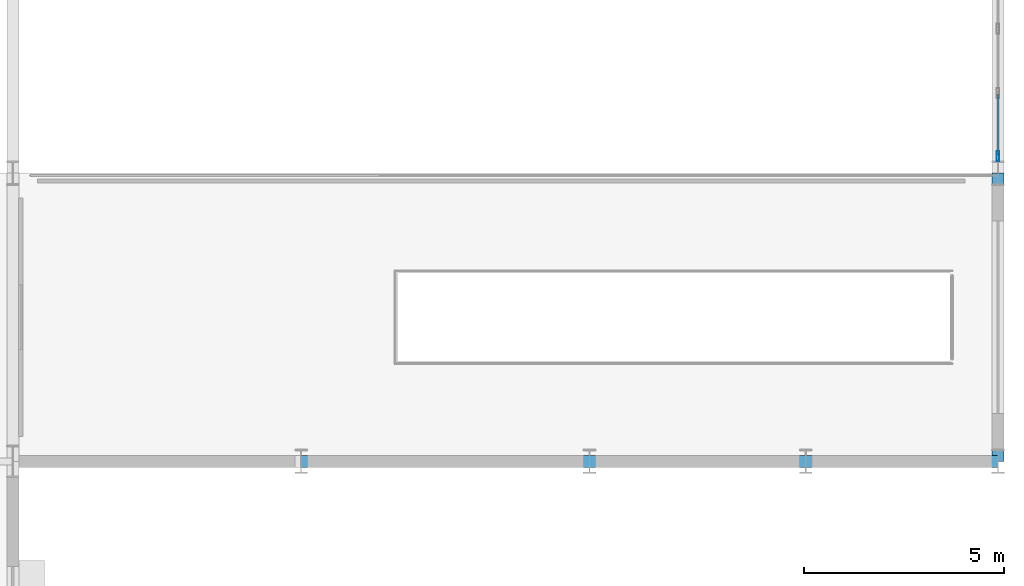
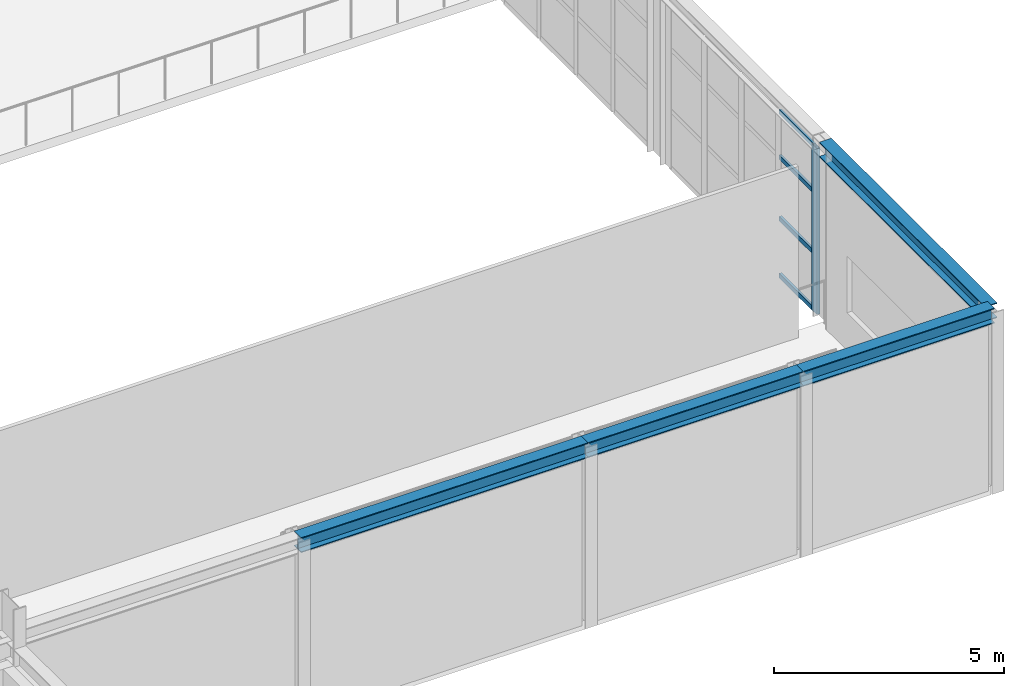
# One storey, part 63 of 126: 5 members, 4 beams, 1 element without a shape of its own.
"""IFC4 building model written with IfcOpenShell, lengths in metres."""

from ifc_helpers import new_model, si_unit, direction, frame, origin, origin_2d, place, context, subcontext, project, spatial, hollow_rectangle, i_section, extrude, material, layer, layer_set, material_profile, profile_set, type_object, element, aggregate, save


model = new_model("IFC4")

# Units and contexts
model_context = context("Model", 3, precision=1e-05, world=origin(), true_north=direction((0.0, 1.0)))
body_context = subcontext(model_context, "Body", "Model", "MODEL_VIEW")
ifc_project = project(units=[si_unit("LENGTHUNIT", "METRE"), si_unit("AREAUNIT", "SQUARE_METRE"), si_unit("VOLUMEUNIT", "CUBIC_METRE"), si_unit("PLANEANGLEUNIT", "RADIAN"), si_unit("MASSUNIT", "GRAM", prefix="KILO")], contexts=[model_context])

# Site, building, storey
site_placement = place(None, origin())
site = spatial("IfcSite", under=ifc_project, at=site_placement, CompositionType="ELEMENT")
building_placement = place(site_placement, origin())
building = spatial("IfcBuilding", under=site, at=building_placement, Name="Solvadek Multi-Sports Hall", CompositionType="ELEMENT")
storey_placement = place(building_placement, frame((0.0, 0.0, 9.60009765625)))
storey = spatial("IfcBuildingStorey", under=building, at=storey_placement, Name="L02", CompositionType="ELEMENT", Elevation=9.60009765625)

# Curtain wall, members
ifc_material_1 = material(Name="Anodised aluminium", Category="aluminium")
ifc_layer = layer(ifc_material_1, 0.159912109375, Name="Anodised aluminium")
ifc_layer_set = layer_set([ifc_layer], Name="Anodised aluminium")
curtain_wall_type = type_object("IfcCurtainWallType", Name="ENV-CW-642X440", PredefinedType="USERDEFINED", material=ifc_layer_set)
curtain_wall_placement = place(storey_placement, origin())
curtain_wall = element("IfcCurtainWall", 1, at=curtain_wall_placement, inside=storey, type_object=curtain_wall_type, Name="L02 Perimeter Bay Curtain Wall #146", ObjectType="CURTAIN WALL", PredefinedType="USERDEFINED")
ifc_material_profile_1 = material_profile(ifc_material_1, hollow_rectangle(XDim=0.070068359375, YDim=0.25, WallThickness=0.0048828125, at=origin_2d()), Name="ALU-M 250x70x5")
ifc_profile_set_1 = profile_set([ifc_material_profile_1], Name="Anodised aluminium")
member_type_1 = type_object("IfcMemberType", Name="ENV-CWM-05", PredefinedType="MULLION", material=ifc_profile_set_1)
member_1_placement = place(storey_placement, frame((161.39990234375, 49.625, 0.0), z_axis=(0.0, 0.0, 1.0), x_axis=(-1.0, 0.0, 0.0)))
member_1 = element("IfcMember", 2, at=member_1_placement, type_object=member_type_1, Name="CW-54 mullion 1", PredefinedType="MULLION", context=body_context, shape_type="SweptSolid", body=[
    extrude(hollow_rectangle(XDim=0.070068359375, YDim=0.25, WallThickness=0.0048828125, at=origin_2d()), origin(), (0.0, 0.0, 1.0), 4.40185546875),
])
ifc_material_profile_2 = material_profile(ifc_material_1, hollow_rectangle(XDim=0.06005859375, YDim=0.1201171875, WallThickness=0.00390625, at=origin_2d()), Name="ALU-T 120x60x4")
ifc_profile_set_2 = profile_set([ifc_material_profile_2], Name="Anodised aluminium")
member_type_2 = type_object("IfcMemberType", Name="ENV-CWT-01", PredefinedType="USERDEFINED", material=ifc_profile_set_2)
member_2_placement = place(storey_placement, frame((161.39990234375, 49.659912109375, 0.02978515625), z_axis=(0.0, 1.0, 0.0), x_axis=(-1.0, 0.0, 0.0)))
member_2 = element("IfcMember", 3, at=member_2_placement, type_object=member_type_2, Name="CW-54 transom 1.1", ObjectType="TRANSOM", PredefinedType="USERDEFINED", context=body_context, shape_type="SweptSolid", body=[
    extrude(hollow_rectangle(XDim=0.06005859375, YDim=0.1201171875, WallThickness=0.00390625, at=origin_2d()), origin(), (0.0, 0.0, 1.0), 1.5),
])
member_3_placement = place(storey_placement, frame((161.39990234375, 49.659912109375, 1.541015625), z_axis=(0.0, 1.0, 0.0), x_axis=(-1.0, 0.0, 0.0)))
member_3 = element("IfcMember", 4, at=member_3_placement, type_object=member_type_2, Name="CW-54 transom 1.2", ObjectType="TRANSOM", PredefinedType="USERDEFINED", context=body_context, shape_type="SweptSolid", body=[
    extrude(hollow_rectangle(XDim=0.06005859375, YDim=0.1201171875, WallThickness=0.00390625, at=origin_2d()), origin(), (0.0, 0.0, 1.0), 1.5),
])
member_4_placement = place(storey_placement, frame((161.39990234375, 49.659912109375, 3.1689453125), z_axis=(0.0, 1.0, 0.0), x_axis=(-1.0, 0.0, 0.0)))
member_4 = element("IfcMember", 5, at=member_4_placement, type_object=member_type_2, Name="CW-54 transom 1.3", ObjectType="TRANSOM", PredefinedType="USERDEFINED", context=body_context, shape_type="SweptSolid", body=[
    extrude(hollow_rectangle(XDim=0.06005859375, YDim=0.1201171875, WallThickness=0.00390625, at=origin_2d()), origin(), (0.0, 0.0, 1.0), 1.5),
])
member_5_placement = place(storey_placement, frame((161.39990234375, 49.659912109375, 4.371826171875), z_axis=(0.0, 1.0, 0.0), x_axis=(-1.0, 0.0, 0.0)))
member_5 = element("IfcMember", 6, at=member_5_placement, type_object=member_type_2, Name="CW-54 transom 1.4", ObjectType="TRANSOM", PredefinedType="USERDEFINED", context=body_context, shape_type="SweptSolid", body=[
    extrude(hollow_rectangle(XDim=0.06005859375, YDim=0.1201171875, WallThickness=0.00390625, at=origin_2d()), origin(), (0.0, 0.0, 1.0), 1.5),
])
aggregate(curtain_wall, [member_1, member_2, member_3, member_4, member_5])

# Beams
ifc_material_2 = material(Name="Steel E350 (350 MPa)", Category="steel")
ifc_material_profile_3 = material_profile(ifc_material_2, i_section(OverallWidth=0.300048828125, OverallDepth=0.39990234375, WebThickness=0.013427734375, FlangeThickness=0.02392578125, at=origin_2d()), Name="WPB 400")
ifc_profile_set_3 = profile_set([ifc_material_profile_3], Name="Steel E350 (350 MPa)")
beam_type = type_object("IfcBeamType", Name="STR-SPN-WPB400", PredefinedType="SPANDREL", material=ifc_profile_set_3)
beam_1_placement = place(storey_placement, frame((144.0, 42.0, 4.599853515625), z_axis=(1.0, 0.0, 0.0), x_axis=(0.0, 1.0, 0.0)))
element("IfcBeam", 7, at=beam_1_placement, inside=storey, type_object=beam_type, Name="L02 V2 Perimeter Spandrel #78", PredefinedType="SPANDREL", context=body_context, shape_type="SweptSolid", body=[
    extrude(i_section(OverallWidth=0.300048828125, OverallDepth=0.39990234375, WebThickness=0.013427734375, FlangeThickness=0.02392578125, at=origin_2d()), origin(), (0.0, 0.0, 1.0), 7.199951171875),
])
beam_2_placement = place(storey_placement, frame((151.199951171875, 42.0, 4.599853515625), z_axis=(1.0, 0.0, 0.0), x_axis=(0.0, 1.0, 0.0)))
element("IfcBeam", 8, at=beam_2_placement, inside=storey, type_object=beam_type, Name="L02 V2 Perimeter Spandrel #79", PredefinedType="SPANDREL", context=body_context, shape_type="SweptSolid", body=[
    extrude(i_section(OverallWidth=0.300048828125, OverallDepth=0.39990234375, WebThickness=0.013427734375, FlangeThickness=0.02392578125, at=origin_2d()), origin(), (0.0, 0.0, 1.0), 5.400146484375),
])
beam_3_placement = place(storey_placement, frame((156.60009765625, 42.0, 4.599853515625), z_axis=(1.0, 0.0, 0.0), x_axis=(0.0, 1.0, 0.0)))
element("IfcBeam", 9, at=beam_3_placement, inside=storey, type_object=beam_type, Name="L02 V2 Perimeter Spandrel #80", PredefinedType="SPANDREL", context=body_context, shape_type="SweptSolid", body=[
    extrude(i_section(OverallWidth=0.300048828125, OverallDepth=0.39990234375, WebThickness=0.013427734375, FlangeThickness=0.02392578125, at=origin_2d()), origin(), (0.0, 0.0, 1.0), 4.7998046875),
])
beam_4_placement = place(storey_placement, frame((161.39990234375, 42.0, 4.599853515625), z_axis=(0.0, 1.0, 0.0), x_axis=(-1.0, 0.0, 0.0)))
element("IfcBeam", 10, at=beam_4_placement, inside=storey, type_object=beam_type, Name="L02 V2 East Spandrel #85", PredefinedType="SPANDREL", context=body_context, shape_type="SweptSolid", body=[
    extrude(i_section(OverallWidth=0.300048828125, OverallDepth=0.39990234375, WebThickness=0.013427734375, FlangeThickness=0.02392578125, at=origin_2d()), origin(), (0.0, 0.0, 1.0), 7.199951171875),
])

save(model, "model.ifc")
